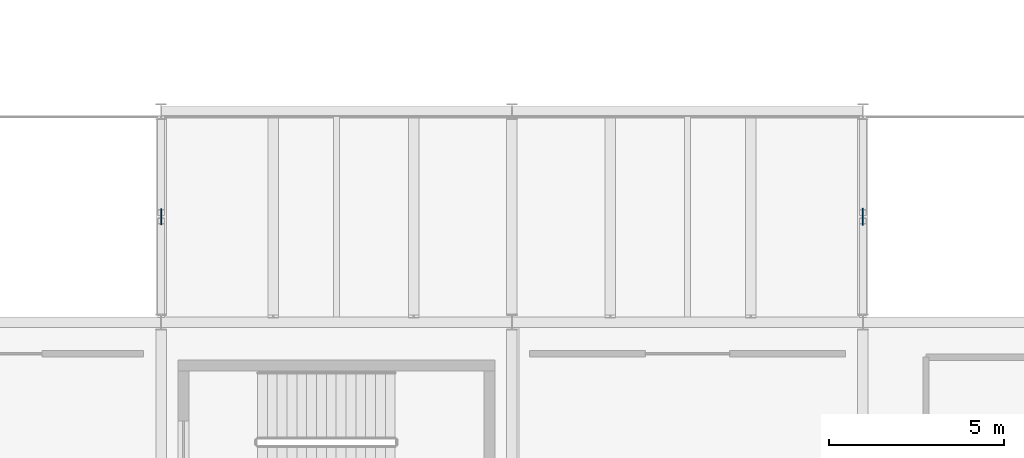
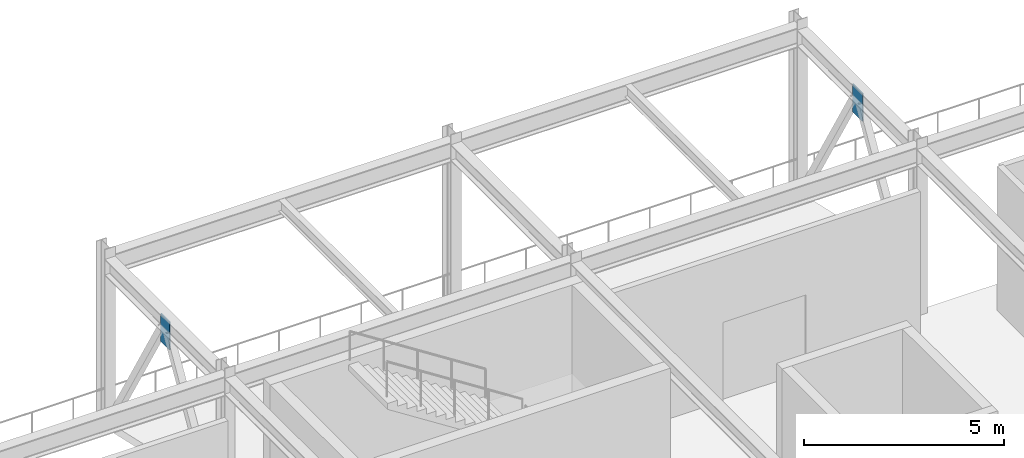
# One storey, part 154 of 210: 2 plates.
"""IFC4 building model written with IfcOpenShell, lengths in metres."""

from ifc_helpers import new_model, si_unit, direction, frame, origin, origin_2d, place, context, subcontext, project, spatial, rectangle, extrude, material, type_object, element, save


model = new_model("IFC4")

# Units and contexts
model_context = context("Model", 3, precision=1e-05, world=origin(), true_north=direction((0.0, 1.0)))
body_context = subcontext(model_context, "Body", "Model", "MODEL_VIEW")
ifc_project = project(units=[si_unit("LENGTHUNIT", "METRE"), si_unit("AREAUNIT", "SQUARE_METRE"), si_unit("VOLUMEUNIT", "CUBIC_METRE"), si_unit("PLANEANGLEUNIT", "RADIAN"), si_unit("MASSUNIT", "GRAM", prefix="KILO")], contexts=[model_context])

# Site, building, storey
site_placement = place(None, origin())
site = spatial("IfcSite", under=ifc_project, at=site_placement, CompositionType="ELEMENT")
building_placement = place(site_placement, origin())
building = spatial("IfcBuilding", under=site, at=building_placement, Name="Kaldris Quays Convention Centre", CompositionType="ELEMENT")
storey_placement = place(building_placement, frame((0.0, 0.0, 6.0)))
storey = spatial("IfcBuildingStorey", under=building, at=storey_placement, Name="L01", CompositionType="ELEMENT", Elevation=6.0)

# Plates
ifc_material = material(Name="Steel S355J2", Category="steel")
plate_type_1 = type_object("IfcPlateType", Name="GUSSET PLATE GP23", PredefinedType="USERDEFINED", material=ifc_material)
plate_1_placement = place(storey_placement, frame((174.0, 71.0, 4.1005859375), z_axis=(0.0, 0.0, 1.0), x_axis=(1.0, 0.0, 0.0)))
element("IfcPlate", 1, at=plate_1_placement, inside=storey, type_object=plate_type_1, Name="CBF Apex Gusset Plate GP23 7", ObjectType="GUSSET PLATE", PredefinedType="USERDEFINED", context=body_context, shape_type="SweptSolid", body=[
    extrude(rectangle(XDim=0.030029296875, YDim=0.449951171875, at=origin_2d()), origin(), (0.0, 0.0, 1.0), 0.85498046875),
])
plate_type_2 = type_object("IfcPlateType", Name="GUSSET PLATE GP24", PredefinedType="USERDEFINED", material=ifc_material)
plate_2_placement = place(storey_placement, frame((194.0, 71.0, 4.1005859375), z_axis=(0.0, 0.0, 1.0), x_axis=(1.0, 0.0, 0.0)))
element("IfcPlate", 2, at=plate_2_placement, inside=storey, type_object=plate_type_2, Name="CBF Apex Gusset Plate GP24 8", ObjectType="GUSSET PLATE", PredefinedType="USERDEFINED", context=body_context, shape_type="SweptSolid", body=[
    extrude(rectangle(XDim=0.031982421875, YDim=0.4951171875, at=origin_2d()), origin(), (0.0, 0.0, 1.0), 0.85498046875),
])

save(model, "model.ifc")
